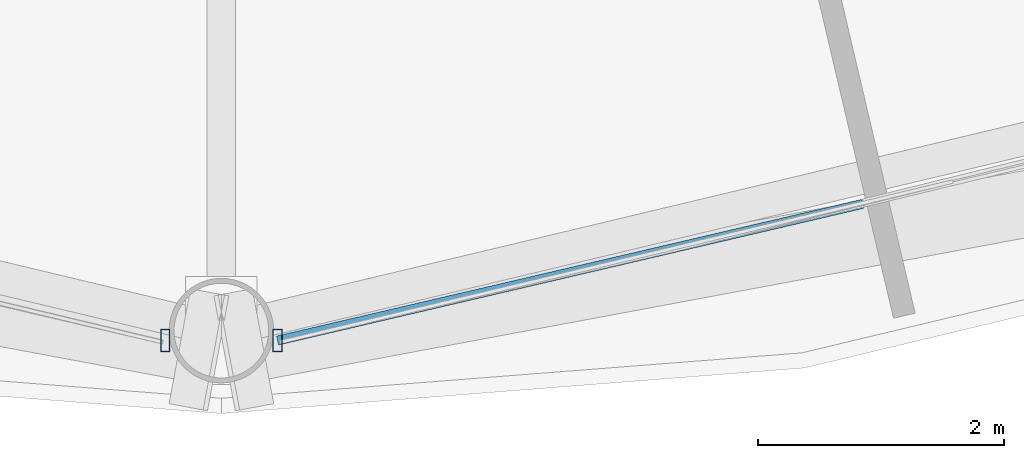
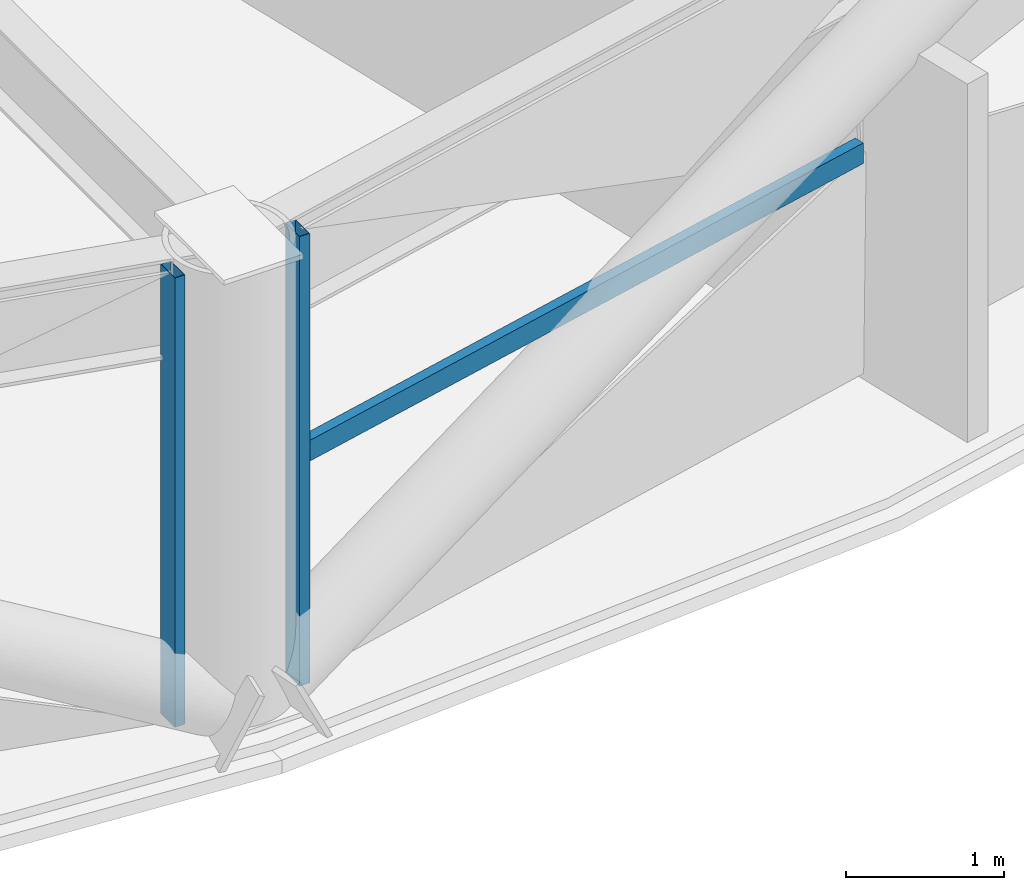
# One storey, part 4 of 30: 3 members, 2 elements without a shape of their own.
"""IFC4 building model written with IfcOpenShell, lengths in metres."""

import ifcopenshell
import ifcopenshell.guid

model = None  # the IFC model being written
_history = None  # IfcOwnerHistory: only IFC2X3 demands one
_inside = {}  # id of a spatial element -> (the spatial element, [elements in it])
_under = {}  # id of a project, library or spatial element -> (it, [spatial elements below it])
_declared = {}  # id of a project -> (the project, [libraries it declares])
_typed = {}  # id of a type object -> (the type object, [elements of that type])
_made_of = {}  # id of a material, layer set ... -> (it, [elements and type objects made of it])


def new_model(schema):
    """Start an empty IFC model of exactly this schema.

    Asked for "IFC4X3", IfcOpenShell would pick the latest addendum, in which some entities
    have other attributes; the version numbers below select the first issue.
    IFC2X3 requires an IfcOwnerHistory on every rooted entity: one is made here for all.
    """
    global model, _history
    if schema == "IFC4X3":
        model = ifcopenshell.file(schema_version=(4, 3, 0, 0))
    else:
        model = ifcopenshell.file(schema=schema)
    _inside.clear()
    _under.clear()
    _declared.clear()
    _typed.clear()
    _made_of.clear()
    _history = None
    if model.schema == "IFC2X3":
        org = make("IfcOrganization", Name="unknown")
        user = make(
            "IfcPersonAndOrganization",
            ThePerson=make("IfcPerson", FamilyName="unknown"),
            TheOrganization=org,
        )
        app = make(
            "IfcApplication",
            ApplicationDeveloper=org,
            Version="unknown",
            ApplicationFullName="unknown",
            ApplicationIdentifier="unknown",
        )
        _history = make(
            "IfcOwnerHistory",
            OwningUser=user,
            OwningApplication=app,
            ChangeAction="ADDED",
            CreationDate=0,
        )
    return model


def make(cls, **values):
    """One entity of the class cls with the attributes given. An attribute that is None is left unset."""
    return model.create_entity(
        cls, **{name: value for name, value in values.items() if value is not None}
    )


def rooted(cls, **values):
    """An entity with a GlobalId (a new one), such as an element, a storey or a relation."""
    return make(cls, GlobalId=ifcopenshell.guid.new(), OwnerHistory=_history, **values)


def si_unit(unit_type, name, prefix=None):
    """IfcSIUnit, for example si_unit("LENGTHUNIT", "METRE", prefix="MILLI")."""
    return make("IfcSIUnit", UnitType=unit_type, Prefix=prefix, Name=name)


def assignment(units):
    """IfcUnitAssignment: the units of a project."""
    return None if units is None else make("IfcUnitAssignment", Units=units)


def point(xyz):
    """IfcCartesianPoint."""
    return None if xyz is None else make("IfcCartesianPoint", Coordinates=xyz)


def direction(xyz):
    """IfcDirection."""
    return None if xyz is None else make("IfcDirection", DirectionRatios=xyz)


def frame(location, z_axis=None, x_axis=None):
    """IfcAxis2Placement3D, a coordinate frame: its origin and axes. An axis left out is left unset."""
    return make(
        "IfcAxis2Placement3D",
        Location=point(location),
        Axis=direction(z_axis),
        RefDirection=direction(x_axis),
    )


def frame_2d(location, x_axis=None):
    """IfcAxis2Placement2D, a coordinate frame in the plane: its origin and x axis."""
    return make(
        "IfcAxis2Placement2D", Location=point(location), RefDirection=direction(x_axis)
    )


def origin():
    """The frame at (0, 0, 0) with its axes left unset."""
    return frame((0.0, 0.0, 0.0))


def origin_2d():
    """The frame at (0, 0) in the plane with its x axis left unset."""
    return frame_2d((0.0, 0.0))


def place(relative_to, where):
    """IfcLocalPlacement: puts the frame where relative to a parent placement (None: the world)."""
    return make(
        "IfcLocalPlacement", PlacementRelTo=relative_to, RelativePlacement=where
    )


def context(
    kind, dimensions, precision=None, world=None, true_north=None, identifier=None
):
    """IfcGeometricRepresentationContext, for example the 3D "Model" context."""
    return make(
        "IfcGeometricRepresentationContext",
        ContextIdentifier=identifier,
        ContextType=kind,
        CoordinateSpaceDimension=dimensions,
        Precision=precision,
        WorldCoordinateSystem=world,
        TrueNorth=true_north,
    )


def subcontext(parent, identifier, kind, view, scale=None):
    """IfcGeometricRepresentationSubContext, for example "Body" below "Model"."""
    return make(
        "IfcGeometricRepresentationSubContext",
        ContextIdentifier=identifier,
        ContextType=kind,
        ParentContext=parent,
        TargetScale=scale,
        TargetView=view,
    )


def project(units=None, contexts=None):
    """IfcProject with its units and contexts."""
    return rooted(
        "IfcProject",
        Name="project",
        RepresentationContexts=contexts,
        UnitsInContext=assignment(units),
    )


def spatial(cls, under=None, at=None, **own):
    """A site, building, storey or space (cls), placed at a placement, below another one or the project."""
    s = rooted(cls, ObjectPlacement=at, **own)
    if under is not None:
        _under.setdefault(under.id(), (under, []))[1].append(s)
    return s


def profile(cls, at=None, kind="AREA", **sizes):
    """A parametric profile (cls). Its sizes go by their IFC names, for example OverallWidth=200.0."""
    return make(cls, ProfileType=kind, Position=at, **sizes)


def hollow_rectangle(**sizes):
    """IfcRectangleHollowProfileDef."""
    return profile("IfcRectangleHollowProfileDef", **sizes)


def extrude(swept, where, along, depth):
    """IfcExtrudedAreaSolid: the profile swept, set in the frame where, extruded along a direction by depth."""
    return make(
        "IfcExtrudedAreaSolid",
        SweptArea=swept,
        Position=where,
        ExtrudedDirection=direction(along),
        Depth=depth,
    )


def shape(context_of_items, identifier, shape_type, items):
    """IfcShapeRepresentation: the items that make up one representation, for example the "Body"."""
    return make(
        "IfcShapeRepresentation",
        ContextOfItems=context_of_items,
        RepresentationIdentifier=identifier,
        RepresentationType=shape_type,
        Items=items,
    )


def material(Name=None, Category=None):
    """IfcMaterial."""
    return make("IfcMaterial", Name=Name, Category=Category)


def layer(
    of_material, thickness, ventilated=None, Name=None, Category=None, Priority=None
):
    """IfcMaterialLayer: one layer of a wall or slab, of a material (None: an air gap)."""
    return make(
        "IfcMaterialLayer",
        Material=of_material,
        LayerThickness=thickness,
        IsVentilated=ventilated,
        Name=Name,
        Category=Category,
        Priority=Priority,
    )


def layer_set(layers, Name=None):
    """IfcMaterialLayerSet."""
    return make("IfcMaterialLayerSet", MaterialLayers=layers, LayerSetName=Name)


def material_profile(
    of_material, cross_section, Name=None, Category=None, Priority=None
):
    """IfcMaterialProfile: a cross section and its material."""
    return make(
        "IfcMaterialProfile",
        Name=Name,
        Material=of_material,
        Profile=cross_section,
        Priority=Priority,
        Category=Category,
    )


def profile_set(profiles, Name=None, composite=None):
    """IfcMaterialProfileSet."""
    return make(
        "IfcMaterialProfileSet",
        Name=Name,
        MaterialProfiles=profiles,
        CompositeProfile=composite,
    )


def made_of(thing, what):
    """Note that an element or type object is made of a material, layer set ...; save() writes the relation."""
    if what is not None:
        _made_of.setdefault(what.id(), (what, []))[1].append(thing)
    return thing


def type_object(cls, material=None, **own):
    """A type object (cls), such as IfcWallType, which elements share."""
    return made_of(rooted(cls, **own), material)


def element(
    cls,
    number,
    at=None,
    inside=None,
    cuts=None,
    type_object=None,
    material=None,
    context=None,
    identifier="Body",
    shape_type=None,
    held_by="IfcProductDefinitionShape",
    body=None,
    shapes=None,
    **own,
):
    """One element of the class cls, such as IfcWall. Its Tag is "e" and its number.

    at: its placement. inside: the storey or other place that contains it. cuts: it is an
    opening in that element (IfcRelVoidsElement). A single representation is given by context,
    identifier, shape_type and body (its items); several are given by shapes. held_by: the class
    of the entity that holds the representations. save() writes the other relations.
    """
    e = rooted(cls, Tag="e%d" % number, ObjectPlacement=at, **own)
    if body is not None:
        shapes = [shape(context, identifier, shape_type, body)]
    if shapes is not None:
        e.Representation = make(held_by, Representations=shapes)
    if inside is not None:
        _inside.setdefault(inside.id(), (inside, []))[1].append(e)
    if cuts is not None:
        rooted(
            "IfcRelVoidsElement", RelatingBuildingElement=cuts, RelatedOpeningElement=e
        )
    if type_object is not None:
        _typed.setdefault(type_object.id(), (type_object, []))[1].append(e)
    return made_of(e, material)


def aggregate(whole, parts):
    """IfcRelAggregates: a whole, such as a stair, and the parts it consists of."""
    return rooted("IfcRelAggregates", RelatingObject=whole, RelatedObjects=parts)


def save(model, path):
    """Write the relations noted so far, then the file.

    IfcRelAggregates (storeys below a building ...), IfcRelContainedInSpatialStructure (elements
    in a storey), IfcRelDefinesByType, IfcRelAssociatesMaterial and IfcRelDeclares: one each for
    every whole, place, type object, material and project.
    """
    for whole, parts in _under.values():
        aggregate(whole, parts)
    for where, things in _inside.values():
        rooted(
            "IfcRelContainedInSpatialStructure",
            RelatedElements=things,
            RelatingStructure=where,
        )
    for kind, things in _typed.values():
        rooted("IfcRelDefinesByType", RelatedObjects=things, RelatingType=kind)
    for what, things in _made_of.values():
        rooted("IfcRelAssociatesMaterial", RelatedObjects=things, RelatingMaterial=what)
    for by, libraries in _declared.values():
        rooted("IfcRelDeclares", RelatingContext=by, RelatedDefinitions=libraries)
    model.write(path)


model = new_model("IFC4")

# Units and contexts
model_context = context("Model", 3, precision=1e-05, world=origin(), true_north=direction((0.0, 1.0)))
body_context = subcontext(model_context, "Body", "Model", "MODEL_VIEW")
ifc_project = project(units=[si_unit("LENGTHUNIT", "METRE"), si_unit("AREAUNIT", "SQUARE_METRE"), si_unit("VOLUMEUNIT", "CUBIC_METRE"), si_unit("PLANEANGLEUNIT", "RADIAN"), si_unit("MASSUNIT", "GRAM", prefix="KILO")], contexts=[model_context])

# Site, building, storey
site_placement = place(None, origin())
site = spatial("IfcSite", under=ifc_project, at=site_placement, CompositionType="ELEMENT")
building_placement = place(site_placement, origin())
building = spatial("IfcBuilding", under=site, at=building_placement, Name="Vantalir Tower", CompositionType="ELEMENT")
storey_placement = place(building_placement, frame((0.0, 0.0, 49.5)))
storey = spatial("IfcBuildingStorey", under=building, at=storey_placement, Name="L11", CompositionType="ELEMENT", Elevation=49.5)

# Curtain wall, member
ifc_material_1 = material(Name="Champagne-silver PVDF aluminium and double-silver Low-E glass", Category="aluminium")
ifc_layer = layer(ifc_material_1, 0.18994140625)
ifc_layer_set = layer_set([ifc_layer], Name="Champagne-silver PVDF aluminium and double-silver Low-E glass")
curtain_wall_type = type_object("IfcCurtainWallType", Name="CW-DIAMOND-Z1", PredefinedType="USERDEFINED", material=ifc_layer_set)
curtain_wall_1_placement = place(storey_placement, origin())
curtain_wall_1 = element("IfcCurtainWall", 1, at=curtain_wall_1_placement, inside=storey, type_object=curtain_wall_type, Name="L11 Quilted Pyramid-Diamond Curtain Wall S09", ObjectType="UNITISED CURTAIN WALL", PredefinedType="USERDEFINED")
ifc_material_2 = material(Name="Champagne-silver PVDF aluminium 6063-T6", Category="aluminium")
ifc_material_profile_1 = material_profile(ifc_material_2, hollow_rectangle(XDim=0.074951171875, YDim=0.179931640625, WallThickness=0.00390625, at=origin_2d()), Name="Champagne-silver PVDF aluminium 6063-T6")
ifc_profile_set_1 = profile_set([ifc_material_profile_1], Name="Champagne-silver PVDF aluminium 6063-T6")
member_type_1 = type_object("IfcMemberType", Name="CWM-180x75", PredefinedType="MULLION", material=ifc_profile_set_1)
member_1_placement = place(storey_placement, frame((31.04296875, 1.193115234375, 0.044921875), z_axis=(0.0, 0.0, 1.0), x_axis=(1.0, 0.0, 0.0)))
member_1 = element("IfcMember", 2, at=member_1_placement, type_object=member_type_1, Name="CW-L11-S09 Mullion 2", PredefinedType="MULLION", context=body_context, shape_type="SweptSolid", body=[
    extrude(hollow_rectangle(XDim=0.074951171875, YDim=0.179931640625, WallThickness=0.00390625, at=origin_2d()), origin(), (0.0, 0.0, 1.0), 3.47998046875),
])
aggregate(curtain_wall_1, [member_1])

# Curtain wall, members
curtain_wall_2_placement = place(storey_placement, origin())
curtain_wall_2 = element("IfcCurtainWall", 3, at=curtain_wall_2_placement, inside=storey, type_object=curtain_wall_type, Name="L11 Quilted Pyramid-Diamond Curtain Wall S10", ObjectType="UNITISED CURTAIN WALL", PredefinedType="USERDEFINED")
member_2_placement = place(storey_placement, frame((31.95703125, 1.193115234375, 0.044921875), z_axis=(0.0, 0.0, 1.0), x_axis=(1.0, 0.0, 0.0)))
member_2 = element("IfcMember", 4, at=member_2_placement, type_object=member_type_1, Name="CW-L11-S10 Mullion 1", PredefinedType="MULLION", context=body_context, shape_type="SweptSolid", body=[
    extrude(hollow_rectangle(XDim=0.074951171875, YDim=0.179931640625, WallThickness=0.00390625, at=origin_2d()), origin(), (0.0, 0.0, 1.0), 3.47998046875),
])
ifc_material_profile_2 = material_profile(ifc_material_2, hollow_rectangle(XDim=0.074951171875, YDim=0.159912109375, WallThickness=0.00390625, at=origin_2d()), Name="Champagne-silver PVDF aluminium 6063-T6")
ifc_profile_set_2 = profile_set([ifc_material_profile_2], Name="Champagne-silver PVDF aluminium 6063-T6")
member_type_2 = type_object("IfcMemberType", Name="CWT-160x75", PredefinedType="USERDEFINED", material=ifc_profile_set_2)
member_3_placement = place(storey_placement, frame((31.95703125, 1.193115234375, 1.784912109375), z_axis=(0.973789562469, 0.227450847497, 0.0), x_axis=(-0.227450847497, 0.973789562469, 0.0)))
member_3 = element("IfcMember", 5, at=member_3_placement, type_object=member_type_2, Name="CW-L11-S10 Pyramid Fold Ridge Transom", ObjectType="TRANSOM", PredefinedType="USERDEFINED", context=body_context, shape_type="SweptSolid", body=[
    extrude(hollow_rectangle(XDim=0.074951171875, YDim=0.159912109375, WallThickness=0.00390625, at=origin_2d()), origin(), (0.0, 0.0, 1.0), 4.8837890625),
])
aggregate(curtain_wall_2, [member_2, member_3])

save(model, "model.ifc")
